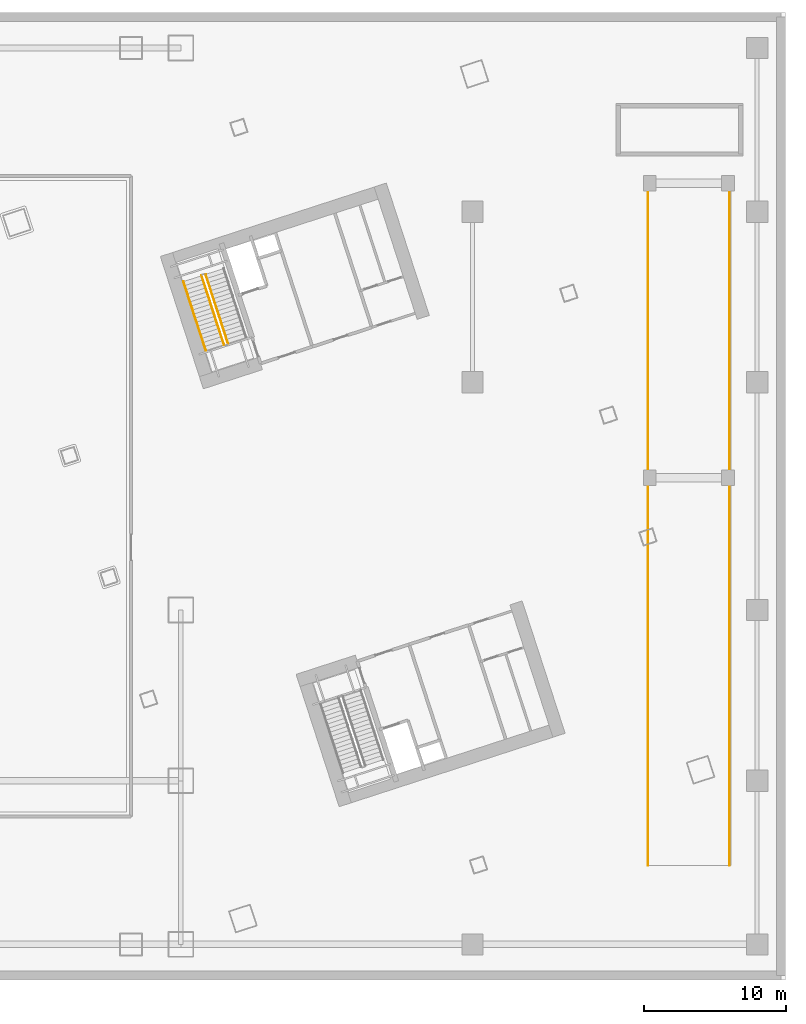
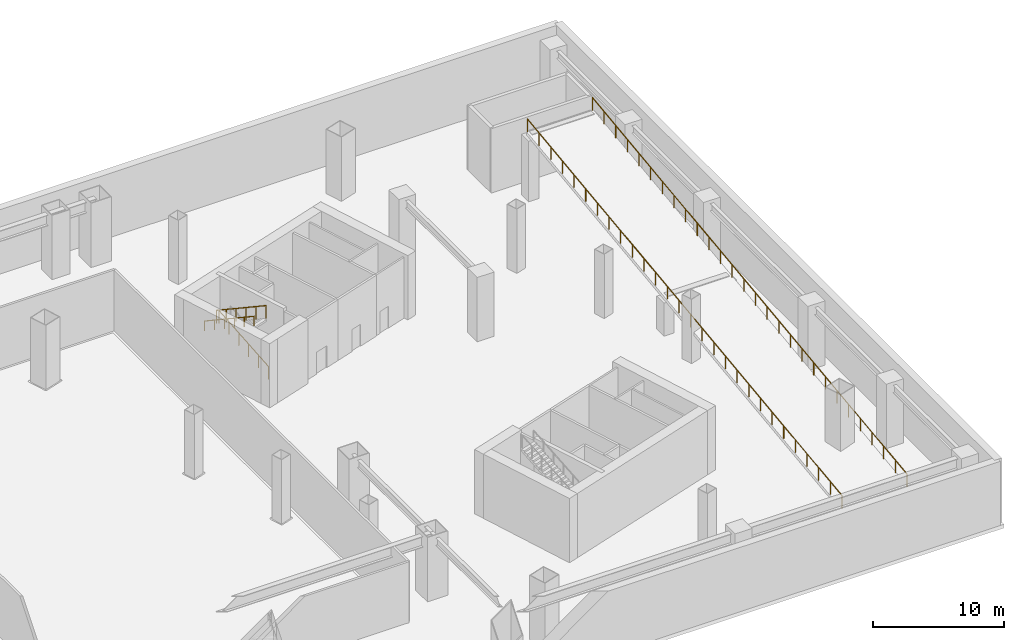
# One storey, part 19 of 20: 5 railings.
"""IFC4 building model written with IfcOpenShell, lengths in metres."""

from ifc_helpers import new_model, si_unit, direction, frame, origin, origin_2d, place, context, subcontext, project, spatial, circle, extrude, material, type_object, element, save


model = new_model("IFC4")

# Units and contexts
model_context = context("Model", 3, precision=1e-05, world=origin(), true_north=direction((0.0, 1.0)))
body_context = subcontext(model_context, "Body", "Model", "MODEL_VIEW")
ifc_project = project(units=[si_unit("LENGTHUNIT", "METRE"), si_unit("AREAUNIT", "SQUARE_METRE"), si_unit("VOLUMEUNIT", "CUBIC_METRE"), si_unit("PLANEANGLEUNIT", "RADIAN"), si_unit("MASSUNIT", "GRAM", prefix="KILO")], contexts=[model_context])

# Site, building, storey
site_placement = place(None, origin())
site = spatial("IfcSite", under=ifc_project, at=site_placement, CompositionType="ELEMENT")
building_placement = place(site_placement, origin())
building = spatial("IfcBuilding", under=site, at=building_placement, Name="Qiaolan Cultural Towers", CompositionType="ELEMENT")
storey_placement = place(building_placement, frame((0.0, 0.0, -6.0)))
storey = spatial("IfcBuildingStorey", under=building, at=storey_placement, Name="B1", CompositionType="ELEMENT", Elevation=-6.0)

# Railings
ifc_material_1 = material(Name="Laminated SentryGlas & Stainless Steel S31608 Balustrade", Category="steel")
railing_type_1 = type_object("IfcRailingType", Name="GRD-TERR-1200", PredefinedType="BALUSTRADE", material=ifc_material_1)
railing_1_placement = place(storey_placement, frame((110.330078125, 8.050048828125, 0.0)))
element("IfcRailing", 1, at=railing_1_placement, inside=storey, type_object=railing_type_1, Name="Vehicle Ramp B1-L00 West Flight Guardrail", PredefinedType="BALUSTRADE", context=body_context, shape_type="SweptSolid", body=[
    extrude(circle(Radius=0.02392578125, at=origin_2d()), frame((0.0, 0.0, 1.17578125), z_axis=(0.0, 0.992325332324, 0.123654497811), x_axis=(-1.0, 0.0, 0.0)), (0.0, 0.0, 1.0), 48.522216796875),
    extrude(circle(Radius=0.02099609375, at=origin_2d()), origin(), (0.0, 0.0, 1.0), 1.15185546875),
    extrude(circle(Radius=0.02099609375, at=origin_2d()), frame((0.0, 1.783447265625, 0.22216796875)), (0.0, 0.0, 1.0), 1.15185546875),
    extrude(circle(Radius=0.02099609375, at=origin_2d()), frame((0.0, 3.566650390625, 0.4443359375)), (0.0, 0.0, 1.0), 1.15185546875),
    extrude(circle(Radius=0.02099609375, at=origin_2d()), frame((0.0, 5.35009765625, 0.666748046875)), (0.0, 0.0, 1.0), 1.15185546875),
    extrude(circle(Radius=0.02099609375, at=origin_2d()), frame((0.0, 7.13330078125, 0.888916015625)), (0.0, 0.0, 1.0), 1.15185546875),
    extrude(circle(Radius=0.02099609375, at=origin_2d()), frame((0.0, 8.916748046875, 1.111083984375)), (0.0, 0.0, 1.0), 1.15185546875),
    extrude(circle(Radius=0.02099609375, at=origin_2d()), frame((0.0, 10.699951171875, 1.333251953125)), (0.0, 0.0, 1.0), 1.15185546875),
    extrude(circle(Radius=0.02099609375, at=origin_2d()), frame((0.0, 12.4833984375, 1.5556640625)), (0.0, 0.0, 1.0), 1.15185546875),
    extrude(circle(Radius=0.02099609375, at=origin_2d()), frame((0.0, 14.2666015625, 1.77783203125)), (0.0, 0.0, 1.0), 1.15185546875),
    extrude(circle(Radius=0.02099609375, at=origin_2d()), frame((0.0, 16.050048828125, 2.0)), (0.0, 0.0, 1.0), 1.15185546875),
    extrude(circle(Radius=0.02099609375, at=origin_2d()), frame((0.0, 17.833251953125, 2.22216796875)), (0.0, 0.0, 1.0), 1.15185546875),
    extrude(circle(Radius=0.02099609375, at=origin_2d()), frame((0.0, 19.61669921875, 2.4443359375)), (0.0, 0.0, 1.0), 1.15185546875),
    extrude(circle(Radius=0.02099609375, at=origin_2d()), frame((0.0, 21.39990234375, 2.666748046875)), (0.0, 0.0, 1.0), 1.15185546875),
    extrude(circle(Radius=0.02099609375, at=origin_2d()), frame((0.0, 23.183349609375, 2.888916015625)), (0.0, 0.0, 1.0), 1.15185546875),
    extrude(circle(Radius=0.02099609375, at=origin_2d()), frame((0.0, 24.966552734375, 3.111083984375)), (0.0, 0.0, 1.0), 1.15185546875),
    extrude(circle(Radius=0.02099609375, at=origin_2d()), frame((0.0, 26.75, 3.333251953125)), (0.0, 0.0, 1.0), 1.15185546875),
    extrude(circle(Radius=0.02099609375, at=origin_2d()), frame((0.0, 28.533203125, 3.5556640625)), (0.0, 0.0, 1.0), 1.15185546875),
    extrude(circle(Radius=0.02099609375, at=origin_2d()), frame((0.0, 30.316650390625, 3.77783203125)), (0.0, 0.0, 1.0), 1.15185546875),
    extrude(circle(Radius=0.02099609375, at=origin_2d()), frame((0.0, 32.099853515625, 4.0)), (0.0, 0.0, 1.0), 1.15185546875),
    extrude(circle(Radius=0.02099609375, at=origin_2d()), frame((0.0, 33.88330078125, 4.22216796875)), (0.0, 0.0, 1.0), 1.15185546875),
    extrude(circle(Radius=0.02099609375, at=origin_2d()), frame((0.0, 35.66650390625, 4.4443359375)), (0.0, 0.0, 1.0), 1.15185546875),
    extrude(circle(Radius=0.02099609375, at=origin_2d()), frame((0.0, 37.449951171875, 4.666748046875)), (0.0, 0.0, 1.0), 1.15185546875),
    extrude(circle(Radius=0.02099609375, at=origin_2d()), frame((0.0, 39.233154296875, 4.888916015625)), (0.0, 0.0, 1.0), 1.15185546875),
    extrude(circle(Radius=0.02099609375, at=origin_2d()), frame((0.0, 41.0166015625, 5.111083984375)), (0.0, 0.0, 1.0), 1.15185546875),
    extrude(circle(Radius=0.02099609375, at=origin_2d()), frame((0.0, 42.7998046875, 5.333251953125)), (0.0, 0.0, 1.0), 1.15185546875),
    extrude(circle(Radius=0.02099609375, at=origin_2d()), frame((0.0, 44.583251953125, 5.5556640625)), (0.0, 0.0, 1.0), 1.15185546875),
    extrude(circle(Radius=0.02099609375, at=origin_2d()), frame((0.0, 46.366455078125, 5.77783203125)), (0.0, 0.0, 1.0), 1.15185546875),
    extrude(circle(Radius=0.02099609375, at=origin_2d()), frame((0.0, 48.14990234375, 6.0)), (0.0, 0.0, 1.0), 1.15185546875),
])
railing_2_placement = place(storey_placement, frame((116.070068359375, 8.050048828125, 0.0)))
element("IfcRailing", 2, at=railing_2_placement, inside=storey, type_object=railing_type_1, Name="Vehicle Ramp B1-L00 East Flight Guardrail", PredefinedType="BALUSTRADE", context=body_context, shape_type="SweptSolid", body=[
    extrude(circle(Radius=0.02392578125, at=origin_2d()), frame((0.0, 0.0, 1.17578125), z_axis=(0.0, 0.992325332324, 0.123654497811), x_axis=(-1.0, 0.0, 0.0)), (0.0, 0.0, 1.0), 48.522216796875),
    extrude(circle(Radius=0.02099609375, at=origin_2d()), origin(), (0.0, 0.0, 1.0), 1.15185546875),
    extrude(circle(Radius=0.02099609375, at=origin_2d()), frame((0.0, 1.783447265625, 0.22216796875)), (0.0, 0.0, 1.0), 1.15185546875),
    extrude(circle(Radius=0.02099609375, at=origin_2d()), frame((0.0, 3.566650390625, 0.4443359375)), (0.0, 0.0, 1.0), 1.15185546875),
    extrude(circle(Radius=0.02099609375, at=origin_2d()), frame((0.0, 5.35009765625, 0.666748046875)), (0.0, 0.0, 1.0), 1.15185546875),
    extrude(circle(Radius=0.02099609375, at=origin_2d()), frame((0.0, 7.13330078125, 0.888916015625)), (0.0, 0.0, 1.0), 1.15185546875),
    extrude(circle(Radius=0.02099609375, at=origin_2d()), frame((0.0, 8.916748046875, 1.111083984375)), (0.0, 0.0, 1.0), 1.15185546875),
    extrude(circle(Radius=0.02099609375, at=origin_2d()), frame((0.0, 10.699951171875, 1.333251953125)), (0.0, 0.0, 1.0), 1.15185546875),
    extrude(circle(Radius=0.02099609375, at=origin_2d()), frame((0.0, 12.4833984375, 1.5556640625)), (0.0, 0.0, 1.0), 1.15185546875),
    extrude(circle(Radius=0.02099609375, at=origin_2d()), frame((0.0, 14.2666015625, 1.77783203125)), (0.0, 0.0, 1.0), 1.15185546875),
    extrude(circle(Radius=0.02099609375, at=origin_2d()), frame((0.0, 16.050048828125, 2.0)), (0.0, 0.0, 1.0), 1.15185546875),
    extrude(circle(Radius=0.02099609375, at=origin_2d()), frame((0.0, 17.833251953125, 2.22216796875)), (0.0, 0.0, 1.0), 1.15185546875),
    extrude(circle(Radius=0.02099609375, at=origin_2d()), frame((0.0, 19.61669921875, 2.4443359375)), (0.0, 0.0, 1.0), 1.15185546875),
    extrude(circle(Radius=0.02099609375, at=origin_2d()), frame((0.0, 21.39990234375, 2.666748046875)), (0.0, 0.0, 1.0), 1.15185546875),
    extrude(circle(Radius=0.02099609375, at=origin_2d()), frame((0.0, 23.183349609375, 2.888916015625)), (0.0, 0.0, 1.0), 1.15185546875),
    extrude(circle(Radius=0.02099609375, at=origin_2d()), frame((0.0, 24.966552734375, 3.111083984375)), (0.0, 0.0, 1.0), 1.15185546875),
    extrude(circle(Radius=0.02099609375, at=origin_2d()), frame((0.0, 26.75, 3.333251953125)), (0.0, 0.0, 1.0), 1.15185546875),
    extrude(circle(Radius=0.02099609375, at=origin_2d()), frame((0.0, 28.533203125, 3.5556640625)), (0.0, 0.0, 1.0), 1.15185546875),
    extrude(circle(Radius=0.02099609375, at=origin_2d()), frame((0.0, 30.316650390625, 3.77783203125)), (0.0, 0.0, 1.0), 1.15185546875),
    extrude(circle(Radius=0.02099609375, at=origin_2d()), frame((0.0, 32.099853515625, 4.0)), (0.0, 0.0, 1.0), 1.15185546875),
    extrude(circle(Radius=0.02099609375, at=origin_2d()), frame((0.0, 33.88330078125, 4.22216796875)), (0.0, 0.0, 1.0), 1.15185546875),
    extrude(circle(Radius=0.02099609375, at=origin_2d()), frame((0.0, 35.66650390625, 4.4443359375)), (0.0, 0.0, 1.0), 1.15185546875),
    extrude(circle(Radius=0.02099609375, at=origin_2d()), frame((0.0, 37.449951171875, 4.666748046875)), (0.0, 0.0, 1.0), 1.15185546875),
    extrude(circle(Radius=0.02099609375, at=origin_2d()), frame((0.0, 39.233154296875, 4.888916015625)), (0.0, 0.0, 1.0), 1.15185546875),
    extrude(circle(Radius=0.02099609375, at=origin_2d()), frame((0.0, 41.0166015625, 5.111083984375)), (0.0, 0.0, 1.0), 1.15185546875),
    extrude(circle(Radius=0.02099609375, at=origin_2d()), frame((0.0, 42.7998046875, 5.333251953125)), (0.0, 0.0, 1.0), 1.15185546875),
    extrude(circle(Radius=0.02099609375, at=origin_2d()), frame((0.0, 44.583251953125, 5.5556640625)), (0.0, 0.0, 1.0), 1.15185546875),
    extrude(circle(Radius=0.02099609375, at=origin_2d()), frame((0.0, 46.366455078125, 5.77783203125)), (0.0, 0.0, 1.0), 1.15185546875),
    extrude(circle(Radius=0.02099609375, at=origin_2d()), frame((0.0, 48.14990234375, 6.0)), (0.0, 0.0, 1.0), 1.15185546875),
])
ifc_material_2 = material(Name="Galvanized Painted Steel Stair Guardrail", Category="steel")
railing_type_2 = type_object("IfcRailingType", Name="RL-STAIR-GRD", PredefinedType="GUARDRAIL", material=ifc_material_2)
railing_3_placement = place(storey_placement, frame((80.822021484375, 44.739501953125, 0.166748046875)))
element("IfcRailing", 3, at=railing_3_placement, inside=storey, type_object=railing_type_2, Name="B1 ST-E2 stair guard 1", PredefinedType="GUARDRAIL", context=body_context, shape_type="SweptSolid", body=[
    extrude(circle(Radius=0.02392578125, at=origin_2d()), frame((0.0, 0.0, 1.17578125), z_axis=(-0.270123706514, 0.831378416316, 0.48563681086), x_axis=(-0.951059043131, -0.309009217467, 0.0)), (0.0, 0.0, 1.0), 5.833984375),
    extrude(circle(Radius=0.02099609375, at=origin_2d()), origin(), (0.0, 0.0, 1.0), 1.15185546875),
    extrude(circle(Radius=0.02099609375, at=origin_2d()), frame((-0.315185546875, 0.969970703125, 0.566650390625)), (0.0, 0.0, 1.0), 1.15185546875),
    extrude(circle(Radius=0.02099609375, at=origin_2d()), frame((-0.63037109375, 1.940185546875, 1.13330078125)), (0.0, 0.0, 1.0), 1.15185546875),
    extrude(circle(Radius=0.02099609375, at=origin_2d()), frame((-0.945556640625, 2.91015625, 1.699951171875)), (0.0, 0.0, 1.0), 1.15185546875),
    extrude(circle(Radius=0.02099609375, at=origin_2d()), frame((-1.2607421875, 3.88037109375, 2.2666015625)), (0.0, 0.0, 1.0), 1.15185546875),
    extrude(circle(Radius=0.02099609375, at=origin_2d()), frame((-1.575927734375, 4.850341796875, 2.833251953125)), (0.0, 0.0, 1.0), 1.15185546875),
])
railing_4_placement = place(storey_placement, frame((78.960693359375, 49.4970703125, 3.166748046875)))
element("IfcRailing", 4, at=railing_4_placement, inside=storey, type_object=railing_type_2, Name="B1 ST-E2 stair guard 3", PredefinedType="GUARDRAIL", context=body_context, shape_type="SweptSolid", body=[
    extrude(circle(Radius=0.02392578125, at=origin_2d()), frame((0.0, 0.0, 1.17578125), z_axis=(0.270162499604, -0.831369017911, 0.485631320927), x_axis=(0.951044973649, 0.30905251673, 0.0)), (0.0, 0.0, 1.0), 5.834228515625),
    extrude(circle(Radius=0.02099609375, at=origin_2d()), origin(), (0.0, 0.0, 1.0), 1.15185546875),
    extrude(circle(Radius=0.02099609375, at=origin_2d()), frame((0.315185546875, -0.969970703125, 0.566650390625)), (0.0, 0.0, 1.0), 1.15185546875),
    extrude(circle(Radius=0.02099609375, at=origin_2d()), frame((0.63037109375, -1.940185546875, 1.13330078125)), (0.0, 0.0, 1.0), 1.15185546875),
    extrude(circle(Radius=0.02099609375, at=origin_2d()), frame((0.94580078125, -2.91015625, 1.699951171875)), (0.0, 0.0, 1.0), 1.15185546875),
    extrude(circle(Radius=0.02099609375, at=origin_2d()), frame((1.260986328125, -3.88037109375, 2.2666015625)), (0.0, 0.0, 1.0), 1.15185546875),
    extrude(circle(Radius=0.02099609375, at=origin_2d()), frame((1.576171875, -4.850341796875, 2.833251953125)), (0.0, 0.0, 1.0), 1.15185546875),
])
ifc_material_3 = material(Name="Stainless Steel S30408 Tubular Handrail", Category="steel")
railing_type_3 = type_object("IfcRailingType", Name="RL-STAIR-HR", PredefinedType="HANDRAIL", material=ifc_material_3)
railing_5_placement = place(storey_placement, frame((77.686279296875, 49.0830078125, 3.166748046875)))
element("IfcRailing", 5, at=railing_5_placement, inside=storey, type_object=railing_type_3, Name="B1 ST-E2 stair handrail 2", PredefinedType="HANDRAIL", context=body_context, shape_type="SweptSolid", body=[
    extrude(circle(Radius=0.02392578125, at=origin_2d()), frame((0.0, 0.0, 0.8759765625), z_axis=(0.270162499604, -0.831369017911, 0.485631320927), x_axis=(0.951044973649, 0.30905251673, 0.0)), (0.0, 0.0, 1.0), 5.834228515625),
    extrude(circle(Radius=0.02099609375, at=origin_2d()), origin(), (0.0, 0.0, 1.0), 0.851806640625),
    extrude(circle(Radius=0.02099609375, at=origin_2d()), frame((0.315185546875, -0.969970703125, 0.566650390625)), (0.0, 0.0, 1.0), 0.851806640625),
    extrude(circle(Radius=0.02099609375, at=origin_2d()), frame((0.63037109375, -1.940185546875, 1.13330078125)), (0.0, 0.0, 1.0), 0.851806640625),
    extrude(circle(Radius=0.02099609375, at=origin_2d()), frame((0.94580078125, -2.91015625, 1.699951171875)), (0.0, 0.0, 1.0), 0.851806640625),
    extrude(circle(Radius=0.02099609375, at=origin_2d()), frame((1.260986328125, -3.88037109375, 2.2666015625)), (0.0, 0.0, 1.0), 0.851806640625),
    extrude(circle(Radius=0.02099609375, at=origin_2d()), frame((1.576171875, -4.850341796875, 2.833251953125)), (0.0, 0.0, 1.0), 0.851806640625),
])

save(model, "model.ifc")
